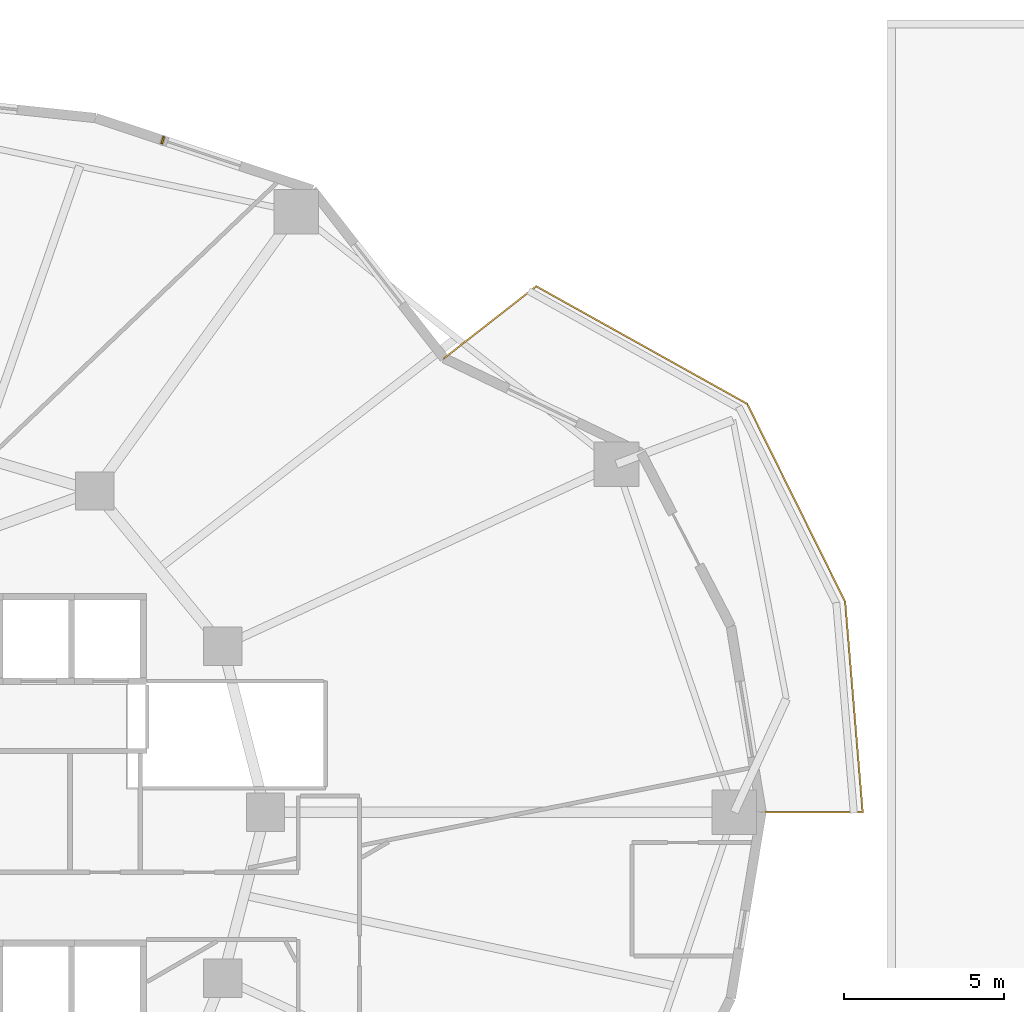
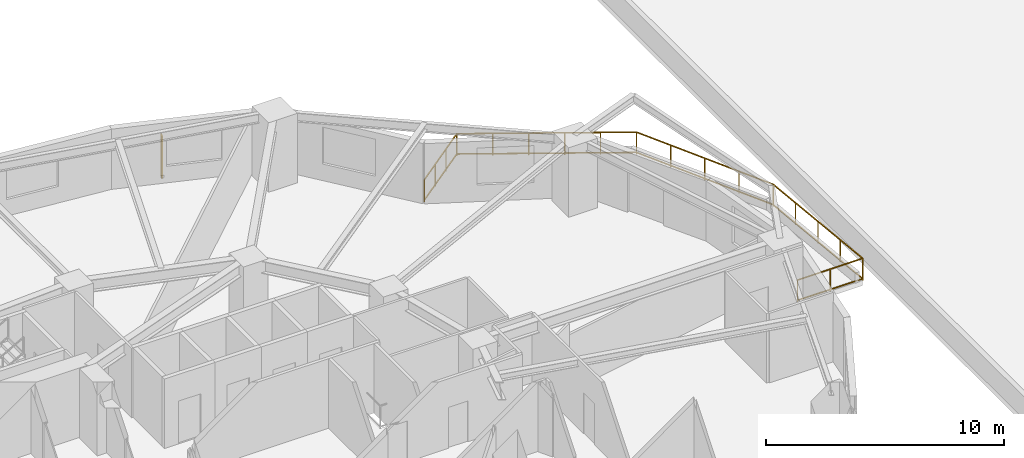
# One storey, part 12 of 13: 1 railing, 1 shading device.
"""IFC4 building model written with IfcOpenShell, lengths in metres."""

from ifc_helpers import new_model, si_unit, direction, frame, origin, origin_2d, place, context, subcontext, project, spatial, rectangle, extrude, material, type_object, element, save


model = new_model("IFC4")

# Units and contexts
model_context = context("Model", 3, precision=1e-05, world=origin(), true_north=direction((0.0, 1.0)))
body_context = subcontext(model_context, "Body", "Model", "MODEL_VIEW")
ifc_project = project(units=[si_unit("LENGTHUNIT", "METRE"), si_unit("AREAUNIT", "SQUARE_METRE"), si_unit("VOLUMEUNIT", "CUBIC_METRE"), si_unit("PLANEANGLEUNIT", "RADIAN"), si_unit("MASSUNIT", "GRAM", prefix="KILO")], contexts=[model_context])

# Site, building, storey
site_placement = place(None, origin())
site = spatial("IfcSite", under=ifc_project, at=site_placement, CompositionType="ELEMENT")
building_placement = place(site_placement, origin())
building = spatial("IfcBuilding", under=site, at=building_placement, Name="Kolvaren Gate Tower and Convention Centre", CompositionType="ELEMENT")
storey_placement = place(building_placement, frame((0.0, 0.0, 26.5)))
storey = spatial("IfcBuildingStorey", under=building, at=storey_placement, Name="L05", CompositionType="ELEMENT", Elevation=26.5)

# Railing
ifc_material_1 = material(Name="Brushed Stainless Steel Grade 316L", Category="steel")
railing_type = type_object("IfcRailingType", Name="ARCH-RL-GUARD-1150", PredefinedType="GUARDRAIL", material=ifc_material_1)
railing_placement = place(storey_placement, frame((58.25, 27.0, 0.0)))
element("IfcRailing", 1, at=railing_placement, inside=storey, type_object=railing_type, Name="Tower L05 Terrace Perimeter Guardrail GR-1", PredefinedType="GUARDRAIL", context=body_context, shape_type="SweptSolid", body=[
    extrude(rectangle(XDim=0.048095703125, YDim=0.048095703125, at=origin_2d()), frame((0.028076171875, 0.0, 1.1259765625), z_axis=(1.0, 0.0, 0.0), x_axis=(0.0, 1.0, 0.0)), (0.0, 0.0, 1.0), 3.11376953125),
    extrude(rectangle(XDim=0.048095703125, YDim=0.048095703125, at=origin_2d()), frame((0.028076171875, 0.0, 0.083984375), z_axis=(1.0, 0.0, 0.0), x_axis=(0.0, 1.0, 0.0)), (0.0, 0.0, 1.0), 3.11376953125),
    extrude(rectangle(XDim=0.048095703125, YDim=0.048095703125, at=origin_2d()), frame((3.16748046875, 0.02783203125, 1.1259765625), z_axis=(-0.083097416422, 0.996541428835, 0.0), x_axis=(-0.996541428835, -0.083097416422, 0.0)), (0.0, 0.0, 1.0), 6.557373046875),
    extrude(rectangle(XDim=0.048095703125, YDim=0.048095703125, at=origin_2d()), frame((3.16748046875, 0.02783203125, 0.083984375), z_axis=(-0.083097416422, 0.996541428835, 0.0), x_axis=(-0.996541428835, -0.083097416422, 0.0)), (0.0, 0.0, 1.0), 6.557373046875),
    extrude(rectangle(XDim=0.048095703125, YDim=0.048095703125, at=origin_2d()), frame((2.60791015625, 6.61572265625, 1.1259765625), z_axis=(-0.443578479433, 0.8962355341, 0.0), x_axis=(-0.8962355341, -0.443578479433, 0.0)), (0.0, 0.0, 1.0), 6.855224609375),
    extrude(rectangle(XDim=0.048095703125, YDim=0.048095703125, at=origin_2d()), frame((2.60791015625, 6.61572265625, 0.083984375), z_axis=(-0.443578479433, 0.8962355341, 0.0), x_axis=(-0.8962355341, -0.443578479433, 0.0)), (0.0, 0.0, 1.0), 6.855224609375),
    extrude(rectangle(XDim=0.048095703125, YDim=0.048095703125, at=origin_2d()), frame((-0.4697265625, 12.79833984375, 1.1259765625), z_axis=(-0.873486390754, 0.486848564923, 0.0), x_axis=(-0.486848564923, -0.873486390754, 0.0)), (0.0, 0.0, 1.0), 7.506103515625),
    extrude(rectangle(XDim=0.048095703125, YDim=0.048095703125, at=origin_2d()), frame((-0.4697265625, 12.79833984375, 0.083984375), z_axis=(-0.873486390754, 0.486848564923, 0.0), x_axis=(-0.486848564923, -0.873486390754, 0.0)), (0.0, 0.0, 1.0), 7.506103515625),
    extrude(rectangle(XDim=0.048095703125, YDim=0.048095703125, at=origin_2d()), frame((-7.072998046875, 16.448974609375, 1.1259765625), z_axis=(-0.787988976981, -0.61568934712, 0.0), x_axis=(0.61568934712, -0.787988976981, 0.0)), (0.0, 0.0, 1.0), 3.60400390625),
    extrude(rectangle(XDim=0.048095703125, YDim=0.048095703125, at=origin_2d()), frame((-7.072998046875, 16.448974609375, 0.083984375), z_axis=(-0.787988976981, -0.61568934712, 0.0), x_axis=(0.61568934712, -0.787988976981, 0.0)), (0.0, 0.0, 1.0), 3.60400390625),
    extrude(rectangle(XDim=0.0419921875, YDim=0.0419921875, at=origin_2d()), origin(), (0.0, 0.0, 1.0), 1.14990234375),
    extrude(rectangle(XDim=0.0419921875, YDim=0.0419921875, at=origin_2d()), frame((3.169921875, 0.0, 0.0)), (0.0, 0.0, 1.0), 1.14990234375),
    extrude(rectangle(XDim=0.0419921875, YDim=0.0419921875, at=origin_2d()), frame((1.5849609375, 0.0, 0.0)), (0.0, 0.0, 1.0), 1.099853515625),
    extrude(rectangle(XDim=0.0419921875, YDim=0.0419921875, at=origin_2d()), frame((2.620361328125, 6.590576171875, 0.0)), (0.0, 0.0, 1.0), 1.14990234375),
    extrude(rectangle(XDim=0.0419921875, YDim=0.0419921875, at=origin_2d()), frame((3.032470703125, 1.647705078125, 0.0)), (0.0, 0.0, 1.0), 1.099853515625),
    extrude(rectangle(XDim=0.0419921875, YDim=0.0419921875, at=origin_2d()), frame((2.89501953125, 3.29541015625, 0.0)), (0.0, 0.0, 1.0), 1.099853515625),
    extrude(rectangle(XDim=0.0419921875, YDim=0.0419921875, at=origin_2d()), frame((2.7578125, 4.94287109375, 0.0)), (0.0, 0.0, 1.0), 1.099853515625),
    extrude(rectangle(XDim=0.0419921875, YDim=0.0419921875, at=origin_2d()), frame((-0.4453125, 12.78466796875, 0.0)), (0.0, 0.0, 1.0), 1.14990234375),
    extrude(rectangle(XDim=0.0419921875, YDim=0.0419921875, at=origin_2d()), frame((1.85400390625, 8.13916015625, 0.0)), (0.0, 0.0, 1.0), 1.099853515625),
    extrude(rectangle(XDim=0.0419921875, YDim=0.0419921875, at=origin_2d()), frame((1.08740234375, 9.6875, 0.0)), (0.0, 0.0, 1.0), 1.099853515625),
    extrude(rectangle(XDim=0.0419921875, YDim=0.0419921875, at=origin_2d()), frame((0.321044921875, 11.236083984375, 0.0)), (0.0, 0.0, 1.0), 1.099853515625),
    extrude(rectangle(XDim=0.0419921875, YDim=0.0419921875, at=origin_2d()), frame((-7.05078125, 16.46630859375, 0.0)), (0.0, 0.0, 1.0), 1.14990234375),
    extrude(rectangle(XDim=0.0419921875, YDim=0.0419921875, at=origin_2d()), frame((-1.766357421875, 13.52099609375, 0.0)), (0.0, 0.0, 1.0), 1.099853515625),
    extrude(rectangle(XDim=0.0419921875, YDim=0.0419921875, at=origin_2d()), frame((-3.08740234375, 14.25732421875, 0.0)), (0.0, 0.0, 1.0), 1.099853515625),
    extrude(rectangle(XDim=0.0419921875, YDim=0.0419921875, at=origin_2d()), frame((-4.40869140625, 14.99365234375, 0.0)), (0.0, 0.0, 1.0), 1.099853515625),
    extrude(rectangle(XDim=0.0419921875, YDim=0.0419921875, at=origin_2d()), frame((-5.729736328125, 15.72998046875, 0.0)), (0.0, 0.0, 1.0), 1.099853515625),
    extrude(rectangle(XDim=0.0419921875, YDim=0.0419921875, at=origin_2d()), frame((-9.934814453125, 14.212890625, 0.0)), (0.0, 0.0, 1.0), 1.14990234375),
    extrude(rectangle(XDim=0.0419921875, YDim=0.0419921875, at=origin_2d()), frame((-8.01220703125, 15.715087890625, 0.0)), (0.0, 0.0, 1.0), 1.099853515625),
    extrude(rectangle(XDim=0.0419921875, YDim=0.0419921875, at=origin_2d()), frame((-8.973388671875, 14.964111328125, 0.0)), (0.0, 0.0, 1.0), 1.099853515625),
])

# Shading device
ifc_material_2 = material(Name="Kiln-Fired Bogota Terracotta Ceramic Louvre Profile", Category="masonry")
shading_device_type = type_object("IfcShadingDeviceType", Name="ARCH-SHD-FIN-180", PredefinedType="JALOUSIE", material=ifc_material_2)
shading_device_placement = place(storey_placement, frame((39.5048828125, 48.037109375, 0.219970703125), z_axis=(0.0, 0.0, 1.0), x_axis=(0.949242826568, -0.314544203905, 0.0)))
element("IfcShadingDevice", 2, at=shading_device_placement, inside=storey, type_object=shading_device_type, Name="Ceramic Vertical Brise-Soleil Fin FN-L05-04", PredefinedType="JALOUSIE", context=body_context, shape_type="SweptSolid", body=[
    extrude(rectangle(XDim=0.06005859375, YDim=0.239990234375, at=origin_2d()), origin(), (0.0, 0.0, 1.0), 2.14990234375),
])

save(model, "model.ifc")
